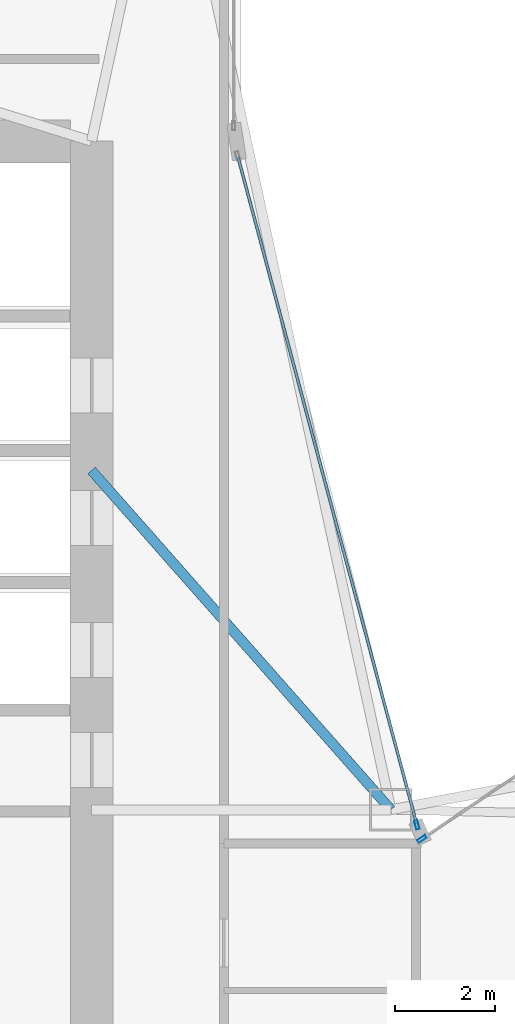
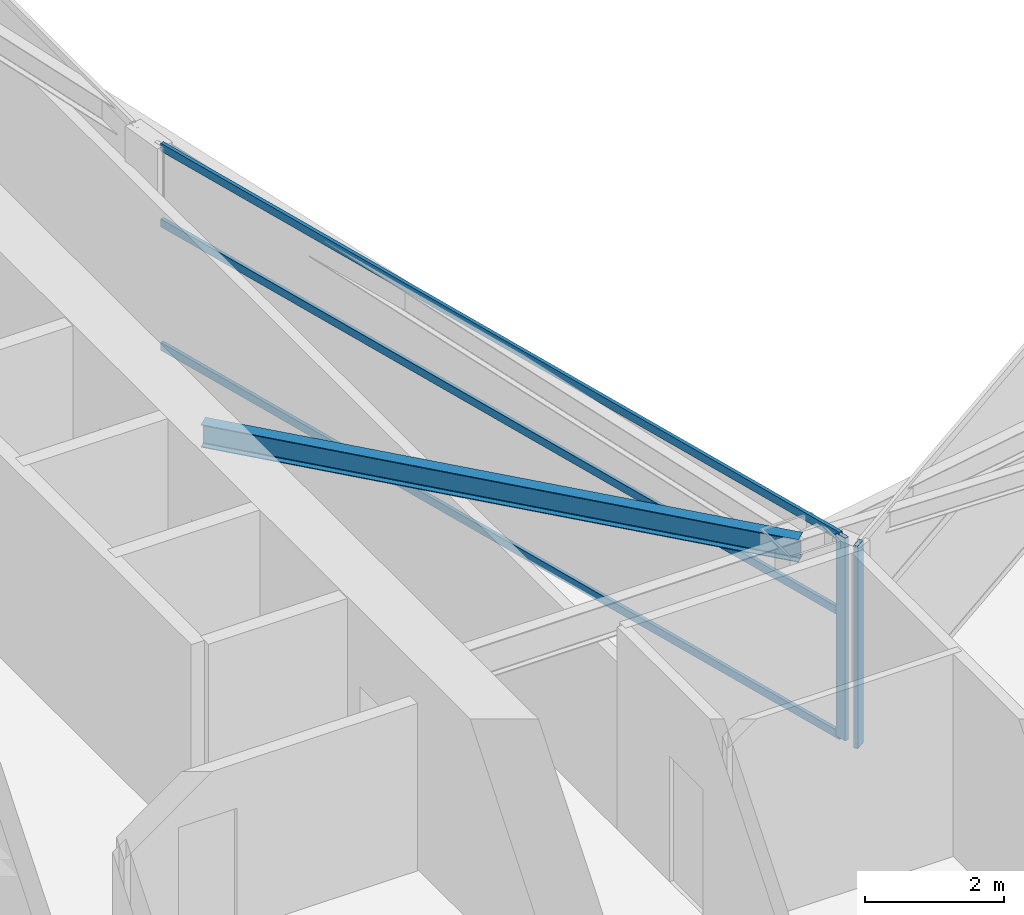
# One storey, part 11 of 30: 5 members, 1 beam, 2 elements without a shape of their own.
"""IFC4 building model written with IfcOpenShell, lengths in metres."""

from ifc_helpers import new_model, si_unit, direction, frame, origin, origin_2d, place, context, subcontext, project, spatial, hollow_rectangle, i_section, extrude, material, layer, layer_set, material_profile, profile_set, type_object, element, aggregate, save


model = new_model("IFC4")

# Units and contexts
model_context = context("Model", 3, precision=1e-05, world=origin(), true_north=direction((0.0, 1.0)))
body_context = subcontext(model_context, "Body", "Model", "MODEL_VIEW")
ifc_project = project(units=[si_unit("LENGTHUNIT", "METRE"), si_unit("AREAUNIT", "SQUARE_METRE"), si_unit("VOLUMEUNIT", "CUBIC_METRE"), si_unit("PLANEANGLEUNIT", "RADIAN"), si_unit("MASSUNIT", "GRAM", prefix="KILO")], contexts=[model_context])

# Site, building, storey
site_placement = place(None, origin())
site = spatial("IfcSite", under=ifc_project, at=site_placement, CompositionType="ELEMENT")
building_placement = place(site_placement, origin())
building = spatial("IfcBuilding", under=site, at=building_placement, Name="Calvorn Quay Hotel", CompositionType="ELEMENT")
storey_placement = place(building_placement, frame((0.0, 0.0, 191.300048828125)))
storey = spatial("IfcBuildingStorey", under=building, at=storey_placement, Name="L47", CompositionType="ELEMENT", Elevation=191.300048828125)

# Beam
ifc_material_1 = material(Name="Steel Q355B", Category="steel")
ifc_material_profile_1 = material_profile(ifc_material_1, i_section(OverallWidth=0.199951171875, OverallDepth=0.39990234375, WebThickness=0.008056640625, FlangeThickness=0.012939453125, FilletRadius=0.01611328125, at=origin_2d()), Name="HN400x200x8x13")
ifc_profile_set_1 = profile_set([ifc_material_profile_1], Name="Steel Q355B")
beam_type = type_object("IfcBeamType", Name="BM-JOIST-TYP", PredefinedType="JOIST", material=ifc_profile_set_1)
beam_placement = place(storey_placement, frame((15.0, 31.800048828125, 3.33984375), z_axis=(0.661618965899, -0.749840212287, 0.0), x_axis=(0.749840212287, 0.661618965899, 0.0)))
element("IfcBeam", 1, at=beam_placement, inside=storey, type_object=beam_type, Name="Beam BJ-L47-C1", PredefinedType="JOIST", context=body_context, shape_type="SweptSolid", body=[
    extrude(i_section(OverallWidth=0.199951171875, OverallDepth=0.39990234375, WebThickness=0.008056640625, FlangeThickness=0.012939453125, FilletRadius=0.01611328125, at=origin_2d()), origin(), (0.0, 0.0, 1.0), 9.068603515625),
])

# Curtain wall, member
ifc_material_2 = material(Name="Champagne Bronze Anodised Aluminium and Low-E Glass", Category="aluminium")
ifc_layer = layer(ifc_material_2, 0.219970703125)
ifc_layer_set = layer_set([ifc_layer], Name="CW-SYS-Z3")
curtain_wall_type = type_object("IfcCurtainWallType", Name="CW-SYS-Z3", PredefinedType="NOTDEFINED", material=ifc_layer_set)
curtain_wall_1_placement = place(storey_placement, origin())
curtain_wall_1 = element("IfcCurtainWall", 2, at=curtain_wall_1_placement, inside=storey, type_object=curtain_wall_type, Name="Inner Court Curtain Wall L47-NE1", PredefinedType="NOTDEFINED")
ifc_material_3 = material(Name="Champagne Bronze Anodised Aluminium 6063-T6", Category="aluminium")
ifc_material_profile_2 = material_profile(ifc_material_3, hollow_rectangle(XDim=0.068115234375, YDim=0.18505859375, WallThickness=0.00390625, at=origin_2d()), Name="ALU-M185x68x4")
ifc_profile_set_2 = profile_set([ifc_material_profile_2], Name="Champagne Bronze Anodised Aluminium 6063-T6")
member_type_1 = type_object("IfcMemberType", Name="CW-SYS-Z3-MUL", PredefinedType="MULLION", material=ifc_profile_set_2)
member_1_placement = place(storey_placement, frame((21.625, 24.416748046875, 0.0), z_axis=(0.0, 0.0, 1.0), x_axis=(0.558485062395, -0.82951457798, 0.0)))
member_1 = element("IfcMember", 3, at=member_1_placement, type_object=member_type_1, Name="CW-L47-NE1 mullion 3", PredefinedType="MULLION", context=body_context, shape_type="SweptSolid", body=[
    extrude(hollow_rectangle(XDim=0.068115234375, YDim=0.18505859375, WallThickness=0.00390625, at=origin_2d()), origin(), (0.0, 0.0, 1.0), 3.56005859375),
])
aggregate(curtain_wall_1, [member_1])

# Curtain wall, members
curtain_wall_2_placement = place(storey_placement, origin())
curtain_wall_2 = element("IfcCurtainWall", 4, at=curtain_wall_2_placement, inside=storey, type_object=curtain_wall_type, Name="Inner Court Curtain Wall L47-IC1", PredefinedType="NOTDEFINED")
member_2_placement = place(storey_placement, frame((21.520263671875, 24.698974609375, 0.0), z_axis=(0.0, 0.0, 1.0), x_axis=(-0.96593652056, -0.25877913024, 0.0)))
member_2 = element("IfcMember", 5, at=member_2_placement, type_object=member_type_1, Name="CW-L47-IC1 mullion 1", PredefinedType="MULLION", context=body_context, shape_type="SweptSolid", body=[
    extrude(hollow_rectangle(XDim=0.068115234375, YDim=0.18505859375, WallThickness=0.00390625, at=origin_2d()), origin(), (0.0, 0.0, 1.0), 3.56005859375),
])
ifc_material_4 = material(Name="Champagne Bronze Anodised Aluminium 6063-T6", Category="aluminium")
ifc_material_profile_3 = material_profile(ifc_material_4, hollow_rectangle(XDim=0.05810546875, YDim=0.139892578125, WallThickness=0.003173828125, at=origin_2d()), Name="ALU-T140x58x3.2")
ifc_profile_set_3 = profile_set([ifc_material_profile_3], Name="Champagne Bronze Anodised Aluminium 6063-T6")
member_type_2 = type_object("IfcMemberType", Name="CW-SYS-Z3-TRN", PredefinedType="USERDEFINED", material=ifc_profile_set_3)
member_3_placement = place(storey_placement, frame((21.512451171875, 24.72802734375, 0.030029296875), z_axis=(-0.258781136883, 0.965935982969, 0.0), x_axis=(-0.965935982969, -0.258781136883, 0.0)))
member_3 = element("IfcMember", 6, at=member_3_placement, type_object=member_type_2, Name="CW-L47-IC1 transom 1.1", ObjectType="TRANSOM", PredefinedType="USERDEFINED", context=body_context, shape_type="SweptSolid", body=[
    extrude(hollow_rectangle(XDim=0.05810546875, YDim=0.139892578125, WallThickness=0.003173828125, at=origin_2d()), origin(), (0.0, 0.0, 1.0), 13.814453125),
])
member_4_placement = place(storey_placement, frame((21.512451171875, 24.72802734375, 2.199951171875), z_axis=(-0.258781136883, 0.965935982969, 0.0), x_axis=(-0.965935982969, -0.258781136883, 0.0)))
member_4 = element("IfcMember", 7, at=member_4_placement, type_object=member_type_2, Name="CW-L47-IC1 transom 1.2", ObjectType="TRANSOM", PredefinedType="USERDEFINED", context=body_context, shape_type="SweptSolid", body=[
    extrude(hollow_rectangle(XDim=0.05810546875, YDim=0.139892578125, WallThickness=0.003173828125, at=origin_2d()), origin(), (0.0, 0.0, 1.0), 13.814453125),
])
member_5_placement = place(storey_placement, frame((21.512451171875, 24.72802734375, 3.530029296875), z_axis=(-0.258781136883, 0.965935982969, 0.0), x_axis=(-0.965935982969, -0.258781136883, 0.0)))
member_5 = element("IfcMember", 8, at=member_5_placement, type_object=member_type_2, Name="CW-L47-IC1 transom 1.3", ObjectType="TRANSOM", PredefinedType="USERDEFINED", context=body_context, shape_type="SweptSolid", body=[
    extrude(hollow_rectangle(XDim=0.05810546875, YDim=0.139892578125, WallThickness=0.003173828125, at=origin_2d()), origin(), (0.0, 0.0, 1.0), 13.814453125),
])
aggregate(curtain_wall_2, [member_2, member_3, member_4, member_5])

save(model, "model.ifc")
